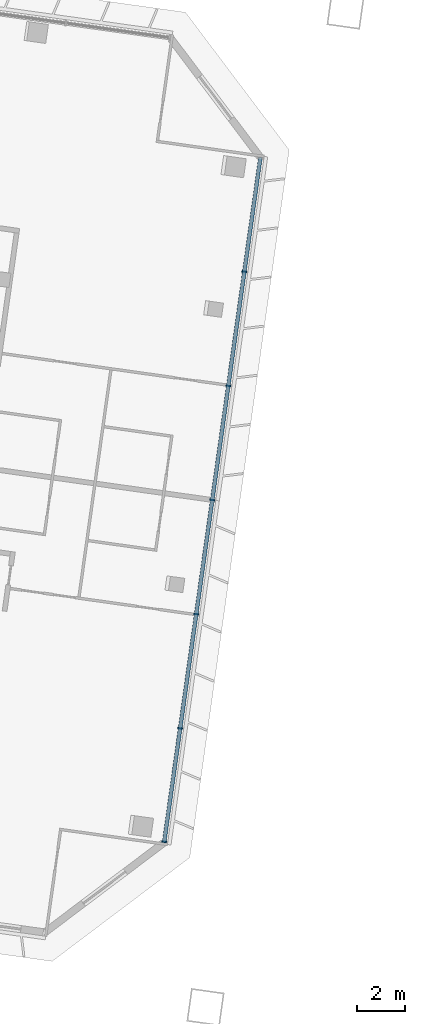
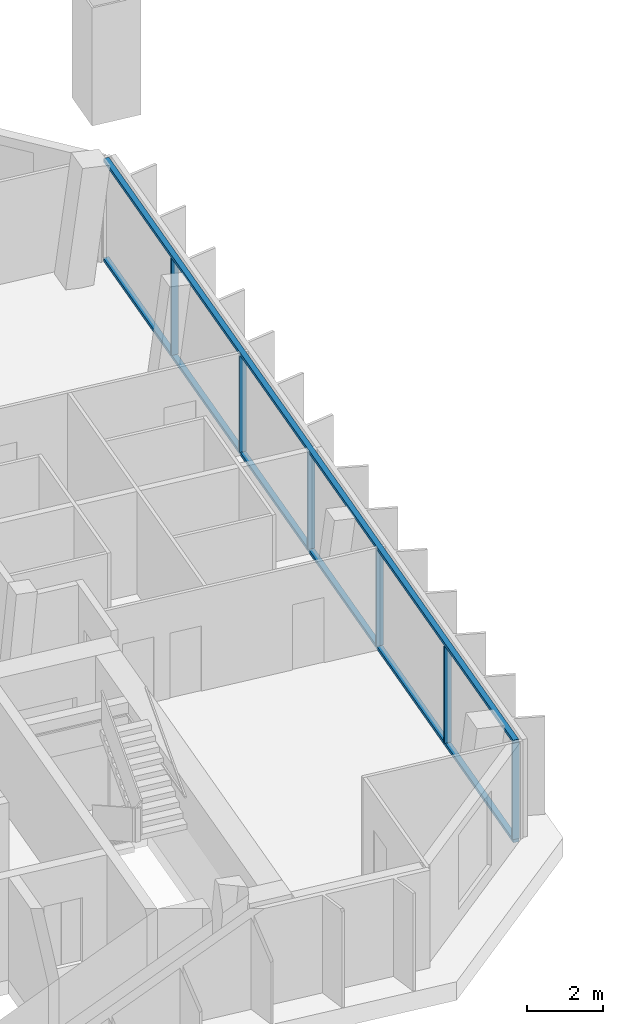
# One storey, part 5 of 29: 8 members, 1 element without a shape of its own.
"""IFC4 building model written with IfcOpenShell, lengths in metres."""

from ifc_helpers import new_model, si_unit, direction, frame, origin, origin_2d, place, context, subcontext, project, spatial, rectangle, extrude, material, material_profile, profile_set, type_object, element, aggregate, save


model = new_model("IFC4")

# Units and contexts
model_context = context("Model", 3, precision=1e-05, world=origin(), true_north=direction((0.0, 1.0)))
body_context = subcontext(model_context, "Body", "Model", "MODEL_VIEW")
ifc_project = project(units=[si_unit("LENGTHUNIT", "METRE"), si_unit("AREAUNIT", "SQUARE_METRE"), si_unit("VOLUMEUNIT", "CUBIC_METRE"), si_unit("PLANEANGLEUNIT", "RADIAN"), si_unit("MASSUNIT", "GRAM", prefix="KILO")], contexts=[model_context])

# Site, building, storey
site_placement = place(None, origin())
site = spatial("IfcSite", under=ifc_project, at=site_placement, CompositionType="ELEMENT")
building_placement = place(site_placement, origin())
building = spatial("IfcBuilding", under=site, at=building_placement, Name="Mirante Cascada Hotel Towers", CompositionType="ELEMENT")
storey_placement = place(building_placement, frame((0.0, 0.0, 206.8)))
storey = spatial("IfcBuildingStorey", under=building, at=storey_placement, Name="L49", CompositionType="ELEMENT", Elevation=206.8)

# Curtain wall, members
ifc_material_1 = material(Name="Aluminium mullion and transom frame with clear laminated glass", Category="aluminium")
curtain_wall_type = type_object("IfcCurtainWallType", Name="End ribbon curtain wall ECW2", PredefinedType="NOTDEFINED", material=ifc_material_1)
curtain_wall_placement = place(storey_placement, origin())
curtain_wall = element("IfcCurtainWall", 1, at=curtain_wall_placement, inside=storey, type_object=curtain_wall_type, Name="Inner end wall T1 L49", PredefinedType="NOTDEFINED")
ifc_material_2 = material(Name="Anodised aluminium extrusion", Category="aluminium")
ifc_material_profile_1 = material_profile(ifc_material_2, rectangle(XDim=0.2, YDim=0.065, at=origin_2d()), Name="ECW2 MULLION 65x200")
ifc_profile_set_1 = profile_set([ifc_material_profile_1], Name="Anodised aluminium extrusion")
member_type_1 = type_object("IfcMemberType", Name="ECW2 mullion 65x200", PredefinedType="MULLION", material=ifc_profile_set_1)
member_1_placement = place(storey_placement, frame((-25.2572, 7.0533, 0.1), z_axis=(0.0, 0.0, 1.0), x_axis=(0.9902681, -0.1391731, 0.0)))
member_1 = element("IfcMember", 2, at=member_1_placement, type_object=member_type_1, Name="ECW2 mullion 2", PredefinedType="MULLION", context=body_context, shape_type="SweptSolid", body=[
    extrude(rectangle(XDim=0.2, YDim=0.065, at=origin_2d()), origin(), (0.0, 0.0, 1.0), 3.1),
])
member_2_placement = place(storey_placement, frame((-25.927, 2.2875, 0.1), z_axis=(0.0, 0.0, 1.0), x_axis=(0.9902681, -0.1391731, 0.0)))
member_2 = element("IfcMember", 3, at=member_2_placement, type_object=member_type_1, Name="ECW2 mullion 3", PredefinedType="MULLION", context=body_context, shape_type="SweptSolid", body=[
    extrude(rectangle(XDim=0.2, YDim=0.065, at=origin_2d()), origin(), (0.0, 0.0, 1.0), 3.1),
])
member_3_placement = place(storey_placement, frame((-26.5968, -2.4783, 0.1), z_axis=(0.0, 0.0, 1.0), x_axis=(0.9902681, -0.1391731, 0.0)))
member_3 = element("IfcMember", 4, at=member_3_placement, type_object=member_type_1, Name="ECW2 mullion 4", PredefinedType="MULLION", context=body_context, shape_type="SweptSolid", body=[
    extrude(rectangle(XDim=0.2, YDim=0.065, at=origin_2d()), origin(), (0.0, 0.0, 1.0), 3.1),
])
member_4_placement = place(storey_placement, frame((-27.2666, -7.2441, 0.1), z_axis=(0.0, 0.0, 1.0), x_axis=(0.9902681, -0.1391731, 0.0)))
member_4 = element("IfcMember", 5, at=member_4_placement, type_object=member_type_1, Name="ECW2 mullion 5", PredefinedType="MULLION", context=body_context, shape_type="SweptSolid", body=[
    extrude(rectangle(XDim=0.2, YDim=0.065, at=origin_2d()), origin(), (0.0, 0.0, 1.0), 3.1),
])
member_5_placement = place(storey_placement, frame((-27.9364, -12.0099, 0.1), z_axis=(0.0, 0.0, 1.0), x_axis=(0.9902681, -0.1391731, 0.0)))
member_5 = element("IfcMember", 6, at=member_5_placement, type_object=member_type_1, Name="ECW2 mullion 6", PredefinedType="MULLION", context=body_context, shape_type="SweptSolid", body=[
    extrude(rectangle(XDim=0.2, YDim=0.065, at=origin_2d()), origin(), (0.0, 0.0, 1.0), 3.1),
])
member_6_placement = place(storey_placement, frame((-28.6016, -16.7435, 0.1), z_axis=(0.0, 0.0, 1.0), x_axis=(0.9902681, -0.1391731, 0.0)))
member_6 = element("IfcMember", 7, at=member_6_placement, type_object=member_type_1, Name="ECW2 mullion 7", PredefinedType="MULLION", context=body_context, shape_type="SweptSolid", body=[
    extrude(rectangle(XDim=0.2, YDim=0.065, at=origin_2d()), origin(), (0.0, 0.0, 1.0), 3.1),
])
ifc_material_3 = material(Name="Anodised aluminium extrusion", Category="aluminium")
ifc_material_profile_2 = material_profile(ifc_material_3, rectangle(XDim=0.16, YDim=0.1, at=origin_2d()), Name="ECW2 TRANSOM 100x160")
ifc_profile_set_2 = profile_set([ifc_material_profile_2], Name="Anodised aluminium extrusion")
member_type_2 = type_object("IfcMemberType", Name="ECW2 transom 100x160", PredefinedType="USERDEFINED", material=ifc_profile_set_2)
member_7_placement = place(storey_placement, frame((-24.5874, 11.8191, 0.05), z_axis=(-0.1391757, -0.9902677, 0.0), x_axis=(0.9902677, -0.1391757, 0.0)))
member_7 = element("IfcMember", 8, at=member_7_placement, type_object=member_type_2, Name="ECW2 sill transom", ObjectType="TRANSOM", PredefinedType="USERDEFINED", context=body_context, shape_type="SweptSolid", body=[
    extrude(rectangle(XDim=0.16, YDim=0.1, at=origin_2d()), origin(), (0.0, 0.0, 1.0), 28.8757),
])
member_8_placement = place(storey_placement, frame((-24.5874, 11.8191, 3.25), z_axis=(-0.1391757, -0.9902677, 0.0), x_axis=(0.9902677, -0.1391757, 0.0)))
member_8 = element("IfcMember", 9, at=member_8_placement, type_object=member_type_2, Name="ECW2 head transom", ObjectType="TRANSOM", PredefinedType="USERDEFINED", context=body_context, shape_type="SweptSolid", body=[
    extrude(rectangle(XDim=0.16, YDim=0.1, at=origin_2d()), origin(), (0.0, 0.0, 1.0), 28.8757),
])
aggregate(curtain_wall, [member_7, member_8, member_1, member_2, member_3, member_4, member_5, member_6])

save(model, "model.ifc")
